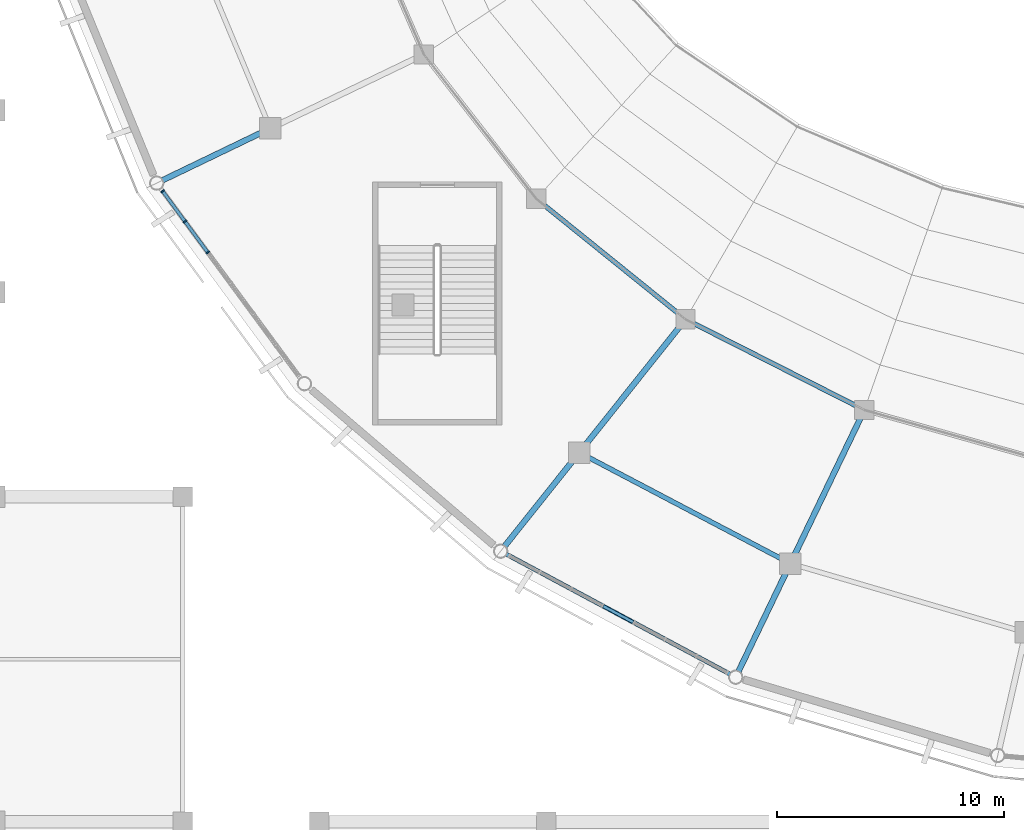
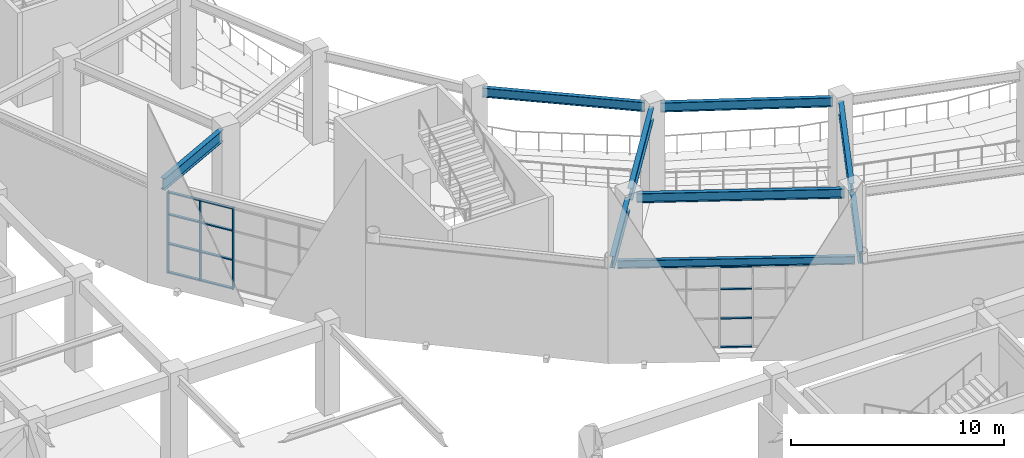
# One storey, part 20 of 120: 15 members, 9 beams, 2 elements without a shape of their own.
"""IFC4 building model written with IfcOpenShell, lengths in metres."""

from ifc_helpers import new_model, si_unit, direction, frame, origin, origin_2d, place, context, subcontext, project, spatial, rectangle, i_section, extrude, material, material_profile, profile_set, type_object, element, aggregate, save


model = new_model("IFC4")

# Units and contexts
model_context = context("Model", 3, precision=1e-05, world=origin(), true_north=direction((0.0, 1.0)))
body_context = subcontext(model_context, "Body", "Model", "MODEL_VIEW")
ifc_project = project(units=[si_unit("LENGTHUNIT", "METRE"), si_unit("AREAUNIT", "SQUARE_METRE"), si_unit("VOLUMEUNIT", "CUBIC_METRE"), si_unit("PLANEANGLEUNIT", "RADIAN"), si_unit("MASSUNIT", "GRAM", prefix="KILO")], contexts=[model_context])

# Site, building, storey
site_placement = place(None, origin())
site = spatial("IfcSite", under=ifc_project, at=site_placement, CompositionType="ELEMENT")
building_placement = place(site_placement, origin())
building = spatial("IfcBuilding", under=site, at=building_placement, Name="Cuetzalor Civic Arena", CompositionType="ELEMENT")
storey_placement = place(building_placement, frame((0.0, 0.0, 6.0)))
storey = spatial("IfcBuildingStorey", under=building, at=storey_placement, Name="L01", CompositionType="ELEMENT", Elevation=6.0)

# Curtain wall, members
ifc_material_1 = material(Name="Anodised dark bronze aluminium and low-E solar glass", Category="aluminium")
curtain_wall_type_1 = type_object("IfcCurtainWallType", Name="UnitisedCW_10150x4650", PredefinedType="USERDEFINED", material=ifc_material_1)
curtain_wall_1_placement = place(storey_placement, origin())
curtain_wall_1 = element("IfcCurtainWall", 1, at=curtain_wall_1_placement, inside=storey, type_object=curtain_wall_type_1, Name="Drum Triangle Foyer Curtain Wall L01-027", ObjectType="UNITISED CURTAIN WALL", PredefinedType="USERDEFINED")
ifc_material_2 = material(Name="Anodised dark bronze aluminium", Category="aluminium")
ifc_material_profile_1 = material_profile(ifc_material_2, rectangle(XDim=0.070068359375, YDim=0.179931640625, at=origin_2d()), Name="ALU MULLION 70x180")
ifc_profile_set_1 = profile_set([ifc_material_profile_1], Name="Anodised dark bronze aluminium")
member_type_1 = type_object("IfcMemberType", Name="CurtainWallMullion_65x180", PredefinedType="MULLION", material=ifc_profile_set_1)
member_1_placement = place(storey_placement, frame((-46.90087890625, -23.2490234375, 0.0), z_axis=(0.0, 0.0, 1.0), x_axis=(-0.59292931222, 0.805254513002, 0.0)))
member_1 = element("IfcMember", 2, at=member_1_placement, type_object=member_type_1, Name="CW-06 mullion 5", PredefinedType="MULLION", context=body_context, shape_type="SweptSolid", body=[
    extrude(rectangle(XDim=0.070068359375, YDim=0.179931640625, at=origin_2d()), origin(), (0.0, 0.0, 1.0), 4.653076171875),
])
member_2_placement = place(storey_placement, frame((-47.9033203125, -21.8876953125, 0.0), z_axis=(0.0, 0.0, 1.0), x_axis=(-0.59292931222, 0.805254513002, 0.0)))
member_2 = element("IfcMember", 3, at=member_2_placement, type_object=member_type_1, Name="CW-06 mullion 6", PredefinedType="MULLION", context=body_context, shape_type="SweptSolid", body=[
    extrude(rectangle(XDim=0.070068359375, YDim=0.179931640625, at=origin_2d()), origin(), (0.0, 0.0, 1.0), 4.653076171875),
])
member_3_placement = place(storey_placement, frame((-48.885009765625, -20.554443359375, 0.0), z_axis=(0.0, 0.0, 1.0), x_axis=(-0.59292931222, 0.805254513002, 0.0)))
member_3 = element("IfcMember", 4, at=member_3_placement, type_object=member_type_1, Name="CW-06 mullion 7", PredefinedType="MULLION", context=body_context, shape_type="SweptSolid", body=[
    extrude(rectangle(XDim=0.070068359375, YDim=0.179931640625, at=origin_2d()), origin(), (0.0, 0.0, 1.0), 4.653076171875),
])
ifc_material_3 = material(Name="Anodised dark bronze aluminium", Category="aluminium")
ifc_material_profile_2 = material_profile(ifc_material_3, rectangle(XDim=0.139892578125, YDim=0.070068359375, at=origin_2d()), Name="ALU TRANSOM 70x140")
ifc_profile_set_2 = profile_set([ifc_material_profile_2], Name="Anodised dark bronze aluminium")
member_type_2 = type_object("IfcMemberType", Name="CurtainWallTransom_65x140", PredefinedType="USERDEFINED", material=ifc_profile_set_2)
member_4_placement = place(storey_placement, frame((-46.921630859375, -23.220703125, 0.034912109375), z_axis=(-0.592962622822, 0.805229984499, 0.0), x_axis=(-0.805229984499, -0.592962622822, 0.0)))
member_4 = element("IfcMember", 5, at=member_4_placement, type_object=member_type_2, Name="CW-06 transom 5.1", ObjectType="TRANSOM", PredefinedType="USERDEFINED", context=body_context, shape_type="SweptSolid", body=[
    extrude(rectangle(XDim=0.139892578125, YDim=0.070068359375, at=origin_2d()), origin(), (0.0, 0.0, 1.0), 1.62060546875),
])
member_5_placement = place(storey_placement, frame((-46.921630859375, -23.220703125, 1.675048828125), z_axis=(-0.592962622822, 0.805229984499, 0.0), x_axis=(-0.805229984499, -0.592962622822, 0.0)))
member_5 = element("IfcMember", 6, at=member_5_placement, type_object=member_type_2, Name="CW-06 transom 5.2", ObjectType="TRANSOM", PredefinedType="USERDEFINED", context=body_context, shape_type="SweptSolid", body=[
    extrude(rectangle(XDim=0.139892578125, YDim=0.070068359375, at=origin_2d()), origin(), (0.0, 0.0, 1.0), 1.62060546875),
])
member_6_placement = place(storey_placement, frame((-46.921630859375, -23.220703125, 3.35009765625), z_axis=(-0.592962622822, 0.805229984499, 0.0), x_axis=(-0.805229984499, -0.592962622822, 0.0)))
member_6 = element("IfcMember", 7, at=member_6_placement, type_object=member_type_2, Name="CW-06 transom 5.3", ObjectType="TRANSOM", PredefinedType="USERDEFINED", context=body_context, shape_type="SweptSolid", body=[
    extrude(rectangle(XDim=0.139892578125, YDim=0.070068359375, at=origin_2d()), origin(), (0.0, 0.0, 1.0), 1.62060546875),
])
member_7_placement = place(storey_placement, frame((-46.921630859375, -23.220703125, 4.617919921875), z_axis=(-0.592962622822, 0.805229984499, 0.0), x_axis=(-0.805229984499, -0.592962622822, 0.0)))
member_7 = element("IfcMember", 8, at=member_7_placement, type_object=member_type_2, Name="CW-06 transom 5.4", ObjectType="TRANSOM", PredefinedType="USERDEFINED", context=body_context, shape_type="SweptSolid", body=[
    extrude(rectangle(XDim=0.139892578125, YDim=0.070068359375, at=origin_2d()), origin(), (0.0, 0.0, 1.0), 1.62060546875),
])
member_8_placement = place(storey_placement, frame((-47.924072265625, -21.859375, 0.034912109375), z_axis=(-0.59293115048, 0.805253159442, 0.0), x_axis=(-0.805253159442, -0.59293115048, 0.0)))
member_8 = element("IfcMember", 9, at=member_8_placement, type_object=member_type_2, Name="CW-06 transom 6.1", ObjectType="TRANSOM", PredefinedType="USERDEFINED", context=body_context, shape_type="SweptSolid", body=[
    extrude(rectangle(XDim=0.139892578125, YDim=0.070068359375, at=origin_2d()), origin(), (0.0, 0.0, 1.0), 1.585693359375),
])
member_9_placement = place(storey_placement, frame((-47.924072265625, -21.859375, 1.675048828125), z_axis=(-0.59293115048, 0.805253159442, 0.0), x_axis=(-0.805253159442, -0.59293115048, 0.0)))
member_9 = element("IfcMember", 10, at=member_9_placement, type_object=member_type_2, Name="CW-06 transom 6.2", ObjectType="TRANSOM", PredefinedType="USERDEFINED", context=body_context, shape_type="SweptSolid", body=[
    extrude(rectangle(XDim=0.139892578125, YDim=0.070068359375, at=origin_2d()), origin(), (0.0, 0.0, 1.0), 1.585693359375),
])
member_10_placement = place(storey_placement, frame((-47.924072265625, -21.859375, 3.35009765625), z_axis=(-0.59293115048, 0.805253159442, 0.0), x_axis=(-0.805253159442, -0.59293115048, 0.0)))
member_10 = element("IfcMember", 11, at=member_10_placement, type_object=member_type_2, Name="CW-06 transom 6.3", ObjectType="TRANSOM", PredefinedType="USERDEFINED", context=body_context, shape_type="SweptSolid", body=[
    extrude(rectangle(XDim=0.139892578125, YDim=0.070068359375, at=origin_2d()), origin(), (0.0, 0.0, 1.0), 1.585693359375),
])
member_11_placement = place(storey_placement, frame((-47.924072265625, -21.859375, 4.617919921875), z_axis=(-0.59293115048, 0.805253159442, 0.0), x_axis=(-0.805253159442, -0.59293115048, 0.0)))
member_11 = element("IfcMember", 12, at=member_11_placement, type_object=member_type_2, Name="CW-06 transom 6.4", ObjectType="TRANSOM", PredefinedType="USERDEFINED", context=body_context, shape_type="SweptSolid", body=[
    extrude(rectangle(XDim=0.139892578125, YDim=0.070068359375, at=origin_2d()), origin(), (0.0, 0.0, 1.0), 1.585693359375),
])
aggregate(curtain_wall_1, [member_1, member_2, member_3, member_4, member_5, member_6, member_7, member_8, member_9, member_10, member_11])

ifc_material_4 = material(Name="Anodised dark bronze aluminium and low-E solar glass", Category="aluminium")
curtain_wall_type_2 = type_object("IfcCurtainWallType", Name="UnitisedCW_10950x4650", PredefinedType="USERDEFINED", material=ifc_material_4)
curtain_wall_2_placement = place(storey_placement, origin())
curtain_wall_2 = element("IfcCurtainWall", 13, at=curtain_wall_2_placement, inside=storey, type_object=curtain_wall_type_2, Name="Drum Triangle Foyer Curtain Wall L01-028", ObjectType="UNITISED CURTAIN WALL", PredefinedType="USERDEFINED")
member_12_placement = place(storey_placement, frame((-28.181640625, -39.52001953125, 0.034912109375), z_axis=(-0.881314685602, 0.472529813812, 0.0), x_axis=(-0.472529813812, -0.881314685602, 0.0)))
member_12 = element("IfcMember", 14, at=member_12_placement, type_object=member_type_2, Name="CW-07 transom 4.1", ObjectType="TRANSOM", PredefinedType="USERDEFINED", context=body_context, shape_type="SweptSolid", body=[
    extrude(rectangle(XDim=0.139892578125, YDim=0.070068359375, at=origin_2d()), origin(), (0.0, 0.0, 1.0), 1.49365234375),
])
member_13_placement = place(storey_placement, frame((-28.181640625, -39.52001953125, 1.675048828125), z_axis=(-0.881314685602, 0.472529813812, 0.0), x_axis=(-0.472529813812, -0.881314685602, 0.0)))
member_13 = element("IfcMember", 15, at=member_13_placement, type_object=member_type_2, Name="CW-07 transom 4.2", ObjectType="TRANSOM", PredefinedType="USERDEFINED", context=body_context, shape_type="SweptSolid", body=[
    extrude(rectangle(XDim=0.139892578125, YDim=0.070068359375, at=origin_2d()), origin(), (0.0, 0.0, 1.0), 1.49365234375),
])
member_14_placement = place(storey_placement, frame((-28.181640625, -39.52001953125, 3.35009765625), z_axis=(-0.881314685602, 0.472529813812, 0.0), x_axis=(-0.472529813812, -0.881314685602, 0.0)))
member_14 = element("IfcMember", 16, at=member_14_placement, type_object=member_type_2, Name="CW-07 transom 4.3", ObjectType="TRANSOM", PredefinedType="USERDEFINED", context=body_context, shape_type="SweptSolid", body=[
    extrude(rectangle(XDim=0.139892578125, YDim=0.070068359375, at=origin_2d()), origin(), (0.0, 0.0, 1.0), 1.49365234375),
])
member_15_placement = place(storey_placement, frame((-28.181640625, -39.52001953125, 4.617919921875), z_axis=(-0.881314685602, 0.472529813812, 0.0), x_axis=(-0.472529813812, -0.881314685602, 0.0)))
member_15 = element("IfcMember", 17, at=member_15_placement, type_object=member_type_2, Name="CW-07 transom 4.4", ObjectType="TRANSOM", PredefinedType="USERDEFINED", context=body_context, shape_type="SweptSolid", body=[
    extrude(rectangle(XDim=0.139892578125, YDim=0.070068359375, at=origin_2d()), origin(), (0.0, 0.0, 1.0), 1.49365234375),
])
aggregate(curtain_wall_2, [member_12, member_13, member_14, member_15])

# Beams
ifc_material_5 = material(Name="Steel S355", Category="steel")
ifc_material_profile_3 = material_profile(ifc_material_5, i_section(OverallWidth=0.18994140625, OverallDepth=0.45703125, WebThickness=0.009033203125, FlangeThickness=0.014404296875, at=origin_2d()), Name="W460x74")
ifc_profile_set_3 = profile_set([ifc_material_profile_3], Name="Steel S355")
beam_type_1 = type_object("IfcBeamType", Name="FacadeSpandrelBeam_W460", PredefinedType="SPANDREL", material=ifc_profile_set_3)
beam_1_placement = place(storey_placement, frame((-33.755859375, -36.53125, 4.8916015625), z_axis=(0.881304552514, -0.472548712534, 0.0), x_axis=(0.472548712534, 0.881304552514, 0.0)))
element("IfcBeam", 18, at=beam_1_placement, inside=storey, type_object=beam_type_1, Name="Drum Perimeter Spandrel L01-S19", PredefinedType="SPANDREL", context=body_context, shape_type="SweptSolid", body=[
    extrude(i_section(OverallWidth=0.18994140625, OverallDepth=0.45703125, WebThickness=0.009033203125, FlangeThickness=0.014404296875, at=origin_2d()), origin(), (0.0, 0.0, 1.0), 11.156005859375),
])
ifc_material_6 = material(Name="Steel S355", Category="steel")
ifc_material_profile_4 = material_profile(ifc_material_6, i_section(OverallWidth=0.208984375, OverallDepth=0.532958984375, WebThickness=0.01025390625, FlangeThickness=0.015625, at=origin_2d()), Name="W530x92")
ifc_profile_set_4 = profile_set([ifc_material_profile_4], Name="Steel S355")
beam_type_2 = type_object("IfcBeamType", Name="SteelCollarGirder_W530", PredefinedType="BEAM", material=ifc_profile_set_4)
beam_2_placement = place(storey_placement, frame((-32.166015625, -21.113037109375, 4.853515625), z_axis=(0.77812651983, -0.628107569719, 0.0), x_axis=(0.628107569719, 0.77812651983, 0.0)))
element("IfcBeam", 19, at=beam_2_placement, inside=storey, type_object=beam_type_2, Name="Bowl Inner Ring Girder L01-S18", PredefinedType="BEAM", context=body_context, shape_type="SweptSolid", body=[
    extrude(i_section(OverallWidth=0.208984375, OverallDepth=0.532958984375, WebThickness=0.01025390625, FlangeThickness=0.015625, at=origin_2d()), origin(), (0.0, 0.0, 1.0), 7.725341796875),
])
beam_3_placement = place(storey_placement, frame((-30.223388671875, -32.227294921875, 4.853515625), z_axis=(0.885117354883, -0.465367884673, 0.0), x_axis=(0.465367884673, 0.885117354883, 0.0)))
element("IfcBeam", 20, at=beam_3_placement, inside=storey, type_object=beam_type_2, Name="Drum Concourse Ring Girder L01-S19", PredefinedType="BEAM", context=body_context, shape_type="SweptSolid", body=[
    extrude(i_section(OverallWidth=0.208984375, OverallDepth=0.532958984375, WebThickness=0.01025390625, FlangeThickness=0.015625, at=origin_2d()), origin(), (0.0, 0.0, 1.0), 9.75634765625),
])
beam_4_placement = place(storey_placement, frame((-25.5537109375, -26.354248046875, 4.853515625), z_axis=(0.89182706622, -0.452376484754, 0.0), x_axis=(0.452376484754, 0.89182706622, 0.0)))
element("IfcBeam", 21, at=beam_4_placement, inside=storey, type_object=beam_type_2, Name="Bowl Inner Ring Girder L01-S19", PredefinedType="BEAM", context=body_context, shape_type="SweptSolid", body=[
    extrude(i_section(OverallWidth=0.208984375, OverallDepth=0.532958984375, WebThickness=0.01025390625, FlangeThickness=0.015625, at=origin_2d()), origin(), (0.0, 0.0, 1.0), 8.102783203125),
])
ifc_material_7 = material(Name="Steel S355", Category="steel")
ifc_material_profile_5 = material_profile(ifc_material_7, i_section(OverallWidth=0.2529296875, OverallDepth=0.677978515625, WebThickness=0.01171875, FlangeThickness=0.016357421875, at=origin_2d()), Name="W690x125")
ifc_profile_set_5 = profile_set([ifc_material_profile_5], Name="Steel S355")
beam_type_3 = type_object("IfcBeamType", Name="SteelPrimaryGirder_W690", PredefinedType="BEAM", material=ifc_profile_set_5)
beam_5_placement = place(storey_placement, frame((-44.4716796875, -17.9453125, 4.781005859375), z_axis=(-0.900964883231, -0.433892013275, 0.0), x_axis=(0.433892013275, -0.900964883231, 0.0)))
element("IfcBeam", 22, at=beam_5_placement, inside=storey, type_object=beam_type_3, Name="Drum Radial Girder L01-R17", PredefinedType="BEAM", context=body_context, shape_type="SweptSolid", body=[
    extrude(i_section(OverallWidth=0.2529296875, OverallDepth=0.677978515625, WebThickness=0.01171875, FlangeThickness=0.016357421875, at=origin_2d()), origin(), (0.0, 0.0, 1.0), 4.900390625),
])
beam_6_placement = place(storey_placement, frame((-30.775390625, -32.336669921875, 4.781005859375), z_axis=(-0.623515538789, -0.781810957258, 0.0), x_axis=(0.781810957258, -0.623515538789, 0.0)))
element("IfcBeam", 23, at=beam_6_placement, inside=storey, type_object=beam_type_3, Name="Drum Radial Girder L01-R19", PredefinedType="BEAM", context=body_context, shape_type="SweptSolid", body=[
    extrude(i_section(OverallWidth=0.2529296875, OverallDepth=0.677978515625, WebThickness=0.01171875, FlangeThickness=0.016357421875, at=origin_2d()), origin(), (0.0, 0.0, 1.0), 4.89990234375),
])
beam_7_placement = place(storey_placement, frame((-26.099365234375, -26.472900390625, 4.781005859375), z_axis=(-0.623473464464, -0.781844510826, 0.0), x_axis=(0.781844510826, -0.623473464464, 0.0)))
element("IfcBeam", 24, at=beam_7_placement, inside=storey, type_object=beam_type_3, Name="Drum Inner Radial Girder L01-R19", PredefinedType="BEAM", context=body_context, shape_type="SweptSolid", body=[
    extrude(i_section(OverallWidth=0.2529296875, OverallDepth=0.677978515625, WebThickness=0.01171875, FlangeThickness=0.016357421875, at=origin_2d()), origin(), (0.0, 0.0, 1.0), 6.77978515625),
])
beam_8_placement = place(storey_placement, frame((-21.41650390625, -37.263916015625, 4.781005859375), z_axis=(-0.433871046232, -0.900974980364, 0.0), x_axis=(0.900974980364, -0.433871046232, 0.0)))
element("IfcBeam", 25, at=beam_8_placement, inside=storey, type_object=beam_type_3, Name="Drum Radial Girder L01-R20", PredefinedType="BEAM", context=body_context, shape_type="SweptSolid", body=[
    extrude(i_section(OverallWidth=0.2529296875, OverallDepth=0.677978515625, WebThickness=0.01171875, FlangeThickness=0.016357421875, at=origin_2d()), origin(), (0.0, 0.0, 1.0), 4.89990234375),
])
beam_9_placement = place(storey_placement, frame((-18.162353515625, -30.5068359375, 4.781005859375), z_axis=(-0.433869751452, -0.900975603874, 0.0), x_axis=(0.900975603874, -0.433869751452, 0.0)))
element("IfcBeam", 26, at=beam_9_placement, inside=storey, type_object=beam_type_3, Name="Drum Inner Radial Girder L01-R20", PredefinedType="BEAM", context=body_context, shape_type="SweptSolid", body=[
    extrude(i_section(OverallWidth=0.2529296875, OverallDepth=0.677978515625, WebThickness=0.01171875, FlangeThickness=0.016357421875, at=origin_2d()), origin(), (0.0, 0.0, 1.0), 6.780029296875),
])

save(model, "model.ifc")
